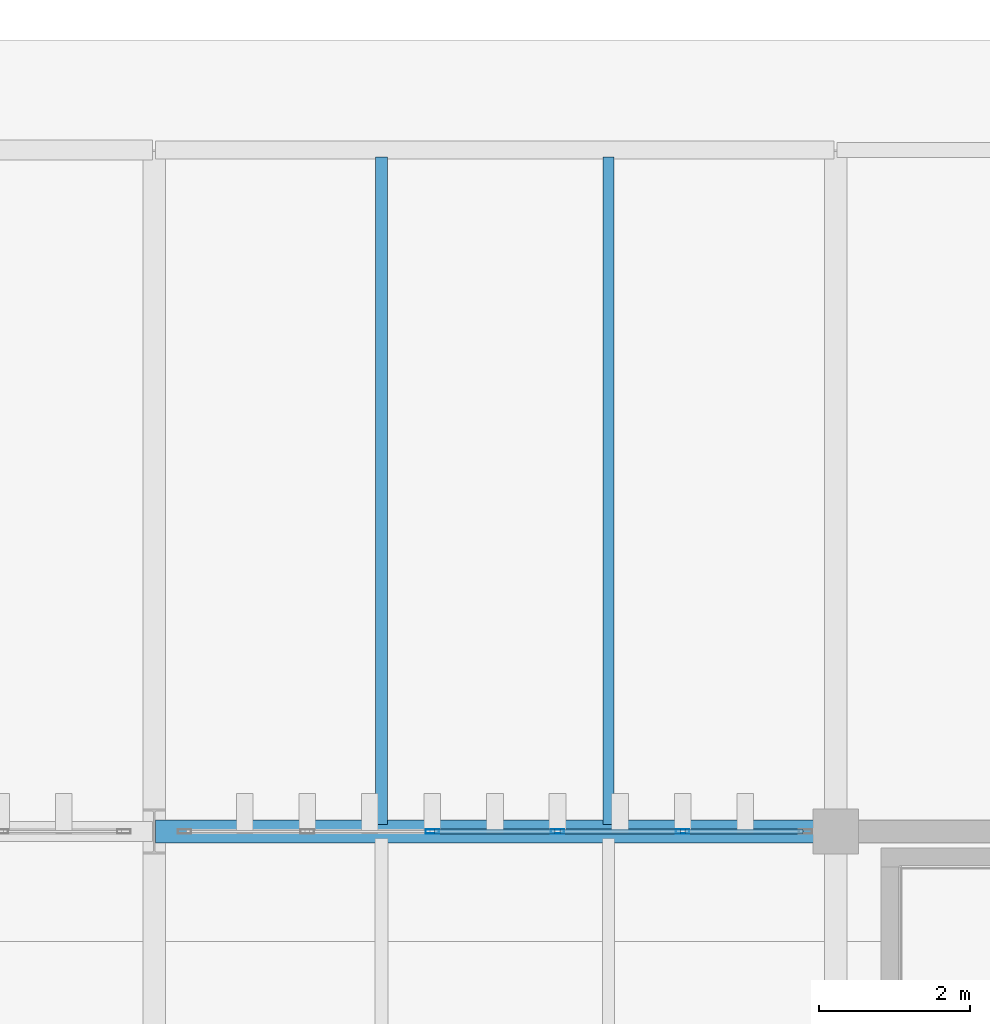
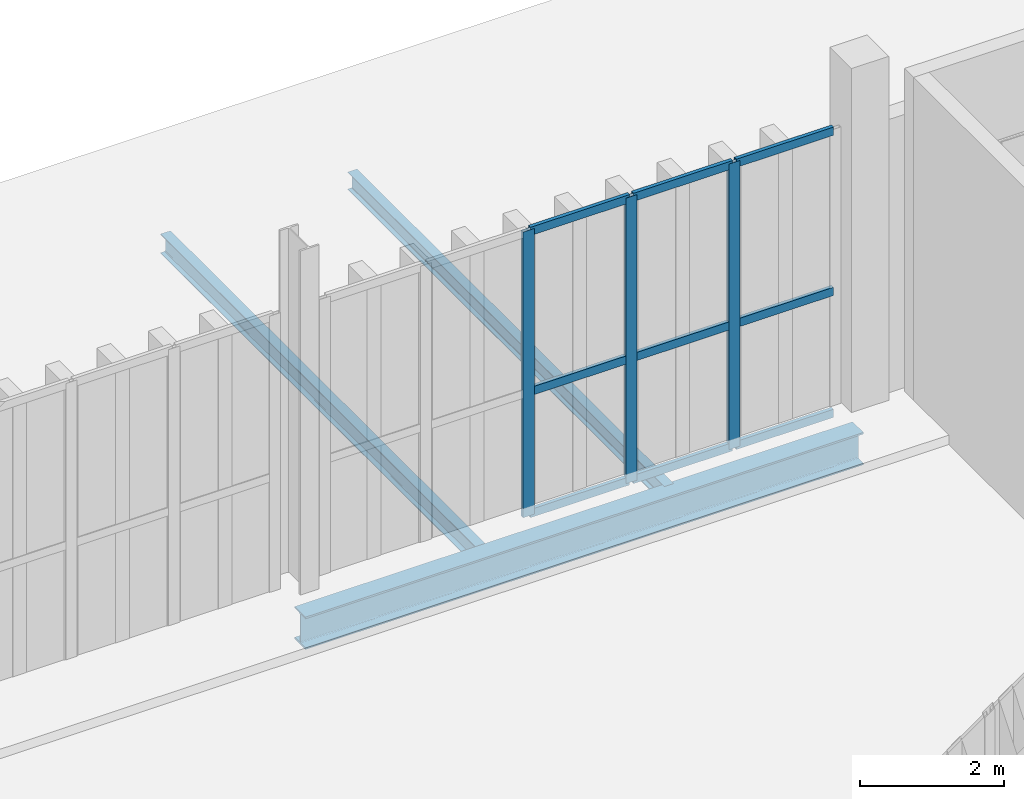
# One storey, part 151 of 237: 12 members, 3 beams, 1 element without a shape of its own.
"""IFC4 building model written with IfcOpenShell, lengths in metres."""

from ifc_helpers import new_model, si_unit, direction, frame, origin, origin_2d, place, context, subcontext, project, spatial, hollow_rectangle, i_section, extrude, material, layer, layer_set, material_profile, profile_set, type_object, element, aggregate, save


model = new_model("IFC4")

# Units and contexts
model_context = context("Model", 3, precision=1e-05, world=origin(), true_north=direction((0.0, 1.0)))
body_context = subcontext(model_context, "Body", "Model", "MODEL_VIEW")
ifc_project = project(units=[si_unit("LENGTHUNIT", "METRE"), si_unit("AREAUNIT", "SQUARE_METRE"), si_unit("VOLUMEUNIT", "CUBIC_METRE"), si_unit("PLANEANGLEUNIT", "RADIAN"), si_unit("MASSUNIT", "GRAM", prefix="KILO")], contexts=[model_context])

# Site, building, storey
site_placement = place(None, origin())
site = spatial("IfcSite", under=ifc_project, at=site_placement, CompositionType="ELEMENT")
building_placement = place(site_placement, origin())
building = spatial("IfcBuilding", under=site, at=building_placement, Name="Barlavento Convention Centre", CompositionType="ELEMENT")
storey_placement = place(building_placement, frame((0.0, 0.0, 12.0)))
storey = spatial("IfcBuildingStorey", under=building, at=storey_placement, Name="L02", CompositionType="ELEMENT", Elevation=12.0)

# Curtain wall, members
ifc_material_1 = material(Name="Powder-coated aluminium and Low-E glass", Category="aluminium")
ifc_layer = layer(ifc_material_1, 0.195068359375)
ifc_layer_set = layer_set([ifc_layer], Name="ARC-CW-BALL-L02")
curtain_wall_type = type_object("IfcCurtainWallType", Name="ARC-CW-BALL-L02", PredefinedType="NOTDEFINED", material=ifc_layer_set)
curtain_wall_placement = place(storey_placement, origin())
curtain_wall = element("IfcCurtainWall", 1, at=curtain_wall_placement, inside=storey, type_object=curtain_wall_type, Name="L02 unitised curtain wall CW07", PredefinedType="NOTDEFINED")
ifc_material_2 = material(Name="Powder-coated aluminium", Category="aluminium")
ifc_material_profile_1 = material_profile(ifc_material_2, hollow_rectangle(XDim=0.06005859375, YDim=0.179931640625, WallThickness=0.0048828125, at=origin_2d()), Name="AL-MULL 60x180x5")
ifc_profile_set_1 = profile_set([ifc_material_profile_1], Name="Powder-coated aluminium")
member_type_1 = type_object("IfcMemberType", Name="ARC-CWM-60X180", PredefinedType="MULLION", material=ifc_profile_set_1)
member_1_placement = place(storey_placement, frame((138.674072265625, 99.0, 0.0), z_axis=(0.0, 0.0, 1.0), x_axis=(0.0, 1.0, 0.0)))
member_1 = element("IfcMember", 2, at=member_1_placement, type_object=member_type_1, Name="CW07 mullion 3", PredefinedType="MULLION", context=body_context, shape_type="SweptSolid", body=[
    extrude(hollow_rectangle(XDim=0.06005859375, YDim=0.179931640625, WallThickness=0.0048828125, at=origin_2d()), origin(), (0.0, 0.0, 1.0), 4.85009765625),
])
member_2_placement = place(storey_placement, frame((140.325927734375, 99.0, 0.0), z_axis=(0.0, 0.0, 1.0), x_axis=(0.0, 1.0, 0.0)))
member_2 = element("IfcMember", 3, at=member_2_placement, type_object=member_type_1, Name="CW07 mullion 4", PredefinedType="MULLION", context=body_context, shape_type="SweptSolid", body=[
    extrude(hollow_rectangle(XDim=0.06005859375, YDim=0.179931640625, WallThickness=0.0048828125, at=origin_2d()), origin(), (0.0, 0.0, 1.0), 4.85009765625),
])
member_3_placement = place(storey_placement, frame((141.97802734375, 99.0, 0.0), z_axis=(0.0, 0.0, 1.0), x_axis=(0.0, 1.0, 0.0)))
member_3 = element("IfcMember", 4, at=member_3_placement, type_object=member_type_1, Name="CW07 mullion 5", PredefinedType="MULLION", context=body_context, shape_type="SweptSolid", body=[
    extrude(hollow_rectangle(XDim=0.06005859375, YDim=0.179931640625, WallThickness=0.0048828125, at=origin_2d()), origin(), (0.0, 0.0, 1.0), 4.85009765625),
])
ifc_material_profile_2 = material_profile(ifc_material_2, hollow_rectangle(XDim=0.06005859375, YDim=0.139892578125, WallThickness=0.00390625, at=origin_2d()), Name="AL-TRAN 60x140x4")
ifc_profile_set_2 = profile_set([ifc_material_profile_2], Name="Powder-coated aluminium")
member_type_2 = type_object("IfcMemberType", Name="ARC-CWT-60X140", PredefinedType="USERDEFINED", material=ifc_profile_set_2)
member_4_placement = place(storey_placement, frame((138.7041015625, 99.0, 0.030029296875), z_axis=(1.0, 0.0, 0.0), x_axis=(0.0, 1.0, 0.0)))
member_4 = element("IfcMember", 5, at=member_4_placement, type_object=member_type_2, Name="CW07 transom 3.1", ObjectType="TRANSOM", PredefinedType="USERDEFINED", context=body_context, shape_type="SweptSolid", body=[
    extrude(hollow_rectangle(XDim=0.06005859375, YDim=0.139892578125, WallThickness=0.00390625, at=origin_2d()), origin(), (0.0, 0.0, 1.0), 1.591796875),
])
member_5_placement = place(storey_placement, frame((138.7041015625, 99.0, 2.10009765625), z_axis=(1.0, 0.0, 0.0), x_axis=(0.0, 1.0, 0.0)))
member_5 = element("IfcMember", 6, at=member_5_placement, type_object=member_type_2, Name="CW07 transom 3.2", ObjectType="TRANSOM", PredefinedType="USERDEFINED", context=body_context, shape_type="SweptSolid", body=[
    extrude(hollow_rectangle(XDim=0.06005859375, YDim=0.139892578125, WallThickness=0.00390625, at=origin_2d()), origin(), (0.0, 0.0, 1.0), 1.591796875),
])
member_6_placement = place(storey_placement, frame((138.7041015625, 99.0, 4.820068359375), z_axis=(1.0, 0.0, 0.0), x_axis=(0.0, 1.0, 0.0)))
member_6 = element("IfcMember", 7, at=member_6_placement, type_object=member_type_2, Name="CW07 transom 3.3", ObjectType="TRANSOM", PredefinedType="USERDEFINED", context=body_context, shape_type="SweptSolid", body=[
    extrude(hollow_rectangle(XDim=0.06005859375, YDim=0.139892578125, WallThickness=0.00390625, at=origin_2d()), origin(), (0.0, 0.0, 1.0), 1.591796875),
])
member_7_placement = place(storey_placement, frame((140.35595703125, 99.0, 0.030029296875), z_axis=(1.0, 0.0, 0.0), x_axis=(0.0, 1.0, 0.0)))
member_7 = element("IfcMember", 8, at=member_7_placement, type_object=member_type_2, Name="CW07 transom 4.1", ObjectType="TRANSOM", PredefinedType="USERDEFINED", context=body_context, shape_type="SweptSolid", body=[
    extrude(hollow_rectangle(XDim=0.06005859375, YDim=0.139892578125, WallThickness=0.00390625, at=origin_2d()), origin(), (0.0, 0.0, 1.0), 1.592041015625),
])
member_8_placement = place(storey_placement, frame((140.35595703125, 99.0, 2.10009765625), z_axis=(1.0, 0.0, 0.0), x_axis=(0.0, 1.0, 0.0)))
member_8 = element("IfcMember", 9, at=member_8_placement, type_object=member_type_2, Name="CW07 transom 4.2", ObjectType="TRANSOM", PredefinedType="USERDEFINED", context=body_context, shape_type="SweptSolid", body=[
    extrude(hollow_rectangle(XDim=0.06005859375, YDim=0.139892578125, WallThickness=0.00390625, at=origin_2d()), origin(), (0.0, 0.0, 1.0), 1.592041015625),
])
member_9_placement = place(storey_placement, frame((140.35595703125, 99.0, 4.820068359375), z_axis=(1.0, 0.0, 0.0), x_axis=(0.0, 1.0, 0.0)))
member_9 = element("IfcMember", 10, at=member_9_placement, type_object=member_type_2, Name="CW07 transom 4.3", ObjectType="TRANSOM", PredefinedType="USERDEFINED", context=body_context, shape_type="SweptSolid", body=[
    extrude(hollow_rectangle(XDim=0.06005859375, YDim=0.139892578125, WallThickness=0.00390625, at=origin_2d()), origin(), (0.0, 0.0, 1.0), 1.592041015625),
])
member_10_placement = place(storey_placement, frame((142.008056640625, 99.0, 0.030029296875), z_axis=(1.0, 0.0, 0.0), x_axis=(0.0, 1.0, 0.0)))
member_10 = element("IfcMember", 11, at=member_10_placement, type_object=member_type_2, Name="CW07 transom 5.1", ObjectType="TRANSOM", PredefinedType="USERDEFINED", context=body_context, shape_type="SweptSolid", body=[
    extrude(hollow_rectangle(XDim=0.06005859375, YDim=0.139892578125, WallThickness=0.00390625, at=origin_2d()), origin(), (0.0, 0.0, 1.0), 1.56201171875),
])
member_11_placement = place(storey_placement, frame((142.008056640625, 99.0, 2.10009765625), z_axis=(1.0, 0.0, 0.0), x_axis=(0.0, 1.0, 0.0)))
member_11 = element("IfcMember", 12, at=member_11_placement, type_object=member_type_2, Name="CW07 transom 5.2", ObjectType="TRANSOM", PredefinedType="USERDEFINED", context=body_context, shape_type="SweptSolid", body=[
    extrude(hollow_rectangle(XDim=0.06005859375, YDim=0.139892578125, WallThickness=0.00390625, at=origin_2d()), origin(), (0.0, 0.0, 1.0), 1.56201171875),
])
member_12_placement = place(storey_placement, frame((142.008056640625, 99.0, 4.820068359375), z_axis=(1.0, 0.0, 0.0), x_axis=(0.0, 1.0, 0.0)))
member_12 = element("IfcMember", 13, at=member_12_placement, type_object=member_type_2, Name="CW07 transom 5.3", ObjectType="TRANSOM", PredefinedType="USERDEFINED", context=body_context, shape_type="SweptSolid", body=[
    extrude(hollow_rectangle(XDim=0.06005859375, YDim=0.139892578125, WallThickness=0.00390625, at=origin_2d()), origin(), (0.0, 0.0, 1.0), 1.56201171875),
])
aggregate(curtain_wall, [member_1, member_2, member_3, member_4, member_5, member_6, member_7, member_8, member_9, member_10, member_11, member_12])

# Beams
ifc_material_3 = material(Name="Steel S355", Category="steel")
ifc_material_profile_3 = material_profile(ifc_material_3, i_section(OverallWidth=0.14990234375, OverallDepth=0.300048828125, WebThickness=0.007080078125, FlangeThickness=0.0107421875, FilletRadius=0.014892578125, at=origin_2d()), Name="IPE 300")
ifc_profile_set_3 = profile_set([ifc_material_profile_3], Name="Steel S355")
beam_type_1 = type_object("IfcBeamType", Name="STR-BM-JST-IPE300", PredefinedType="JOIST", material=ifc_profile_set_3)
beam_1_placement = place(storey_placement, frame((141.0, 99.094970703125, -0.514892578125), z_axis=(0.0, 1.0, 0.0), x_axis=(-1.0, 0.0, 0.0)))
element("IfcBeam", 14, at=beam_1_placement, inside=storey, type_object=beam_type_1, Name="L02 composite floor joist SJ07", PredefinedType="JOIST", context=body_context, shape_type="SweptSolid", body=[
    extrude(i_section(OverallWidth=0.14990234375, OverallDepth=0.300048828125, WebThickness=0.007080078125, FlangeThickness=0.0107421875, FilletRadius=0.014892578125, at=origin_2d()), origin(), (0.0, 0.0, 1.0), 8.81005859375),
])
ifc_material_profile_4 = material_profile(ifc_material_3, i_section(OverallWidth=0.159912109375, OverallDepth=0.330078125, WebThickness=0.007568359375, FlangeThickness=0.011474609375, FilletRadius=0.01806640625, at=origin_2d()), Name="IPE 330")
ifc_profile_set_4 = profile_set([ifc_material_profile_4], Name="Steel S355")
beam_type_2 = type_object("IfcBeamType", Name="STR-BM-JST-IPE330", PredefinedType="JOIST", material=ifc_profile_set_4)
beam_2_placement = place(storey_placement, frame((138.0, 99.094970703125, -0.530029296875), z_axis=(0.0, 1.0, 0.0), x_axis=(-1.0, 0.0, 0.0)))
element("IfcBeam", 15, at=beam_2_placement, inside=storey, type_object=beam_type_2, Name="L02 composite floor joist SJ06", PredefinedType="JOIST", context=body_context, shape_type="SweptSolid", body=[
    extrude(i_section(OverallWidth=0.159912109375, OverallDepth=0.330078125, WebThickness=0.007568359375, FlangeThickness=0.011474609375, FilletRadius=0.01806640625, at=origin_2d()), origin(), (0.0, 0.0, 1.0), 8.81005859375),
])
ifc_material_profile_5 = material_profile(ifc_material_3, i_section(OverallWidth=0.300048828125, OverallDepth=0.550048828125, WebThickness=0.014892578125, FlangeThickness=0.029052734375, FilletRadius=0.027099609375, at=origin_2d()), Name="HEB 550")
ifc_profile_set_5 = profile_set([ifc_material_profile_5], Name="Steel S355")
beam_type_3 = type_object("IfcBeamType", Name="STR-BM-PRI-HEB550", PredefinedType="BEAM", material=ifc_profile_set_5)
beam_3_placement = place(storey_placement, frame((135.02001953125, 99.0, -0.639892578125), z_axis=(1.0, 0.0, 0.0), x_axis=(0.0, 1.0, 0.0)))
element("IfcBeam", 16, at=beam_3_placement, inside=storey, type_object=beam_type_3, Name="L02 primary girder BG08", PredefinedType="BEAM", context=body_context, shape_type="SweptSolid", body=[
    extrude(i_section(OverallWidth=0.300048828125, OverallDepth=0.550048828125, WebThickness=0.014892578125, FlangeThickness=0.029052734375, FilletRadius=0.027099609375, at=origin_2d()), origin(), (0.0, 0.0, 1.0), 8.9599609375),
])

save(model, "model.ifc")
